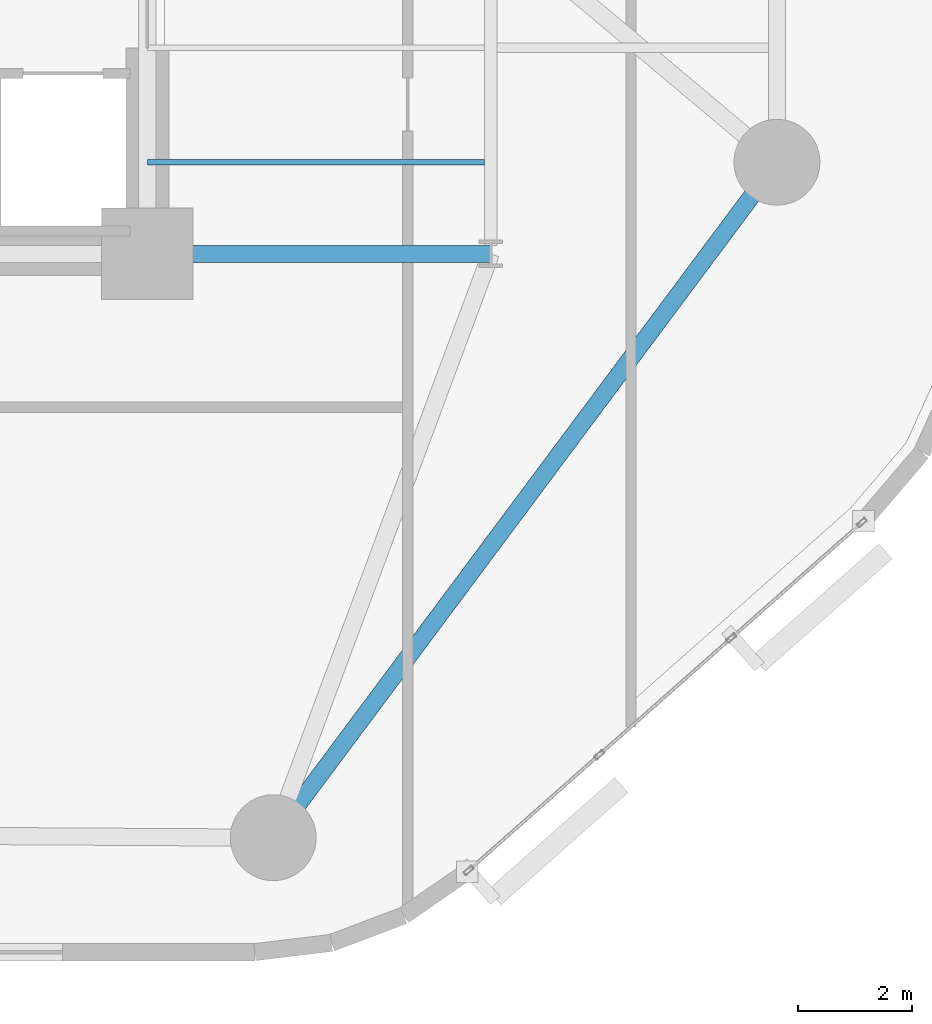
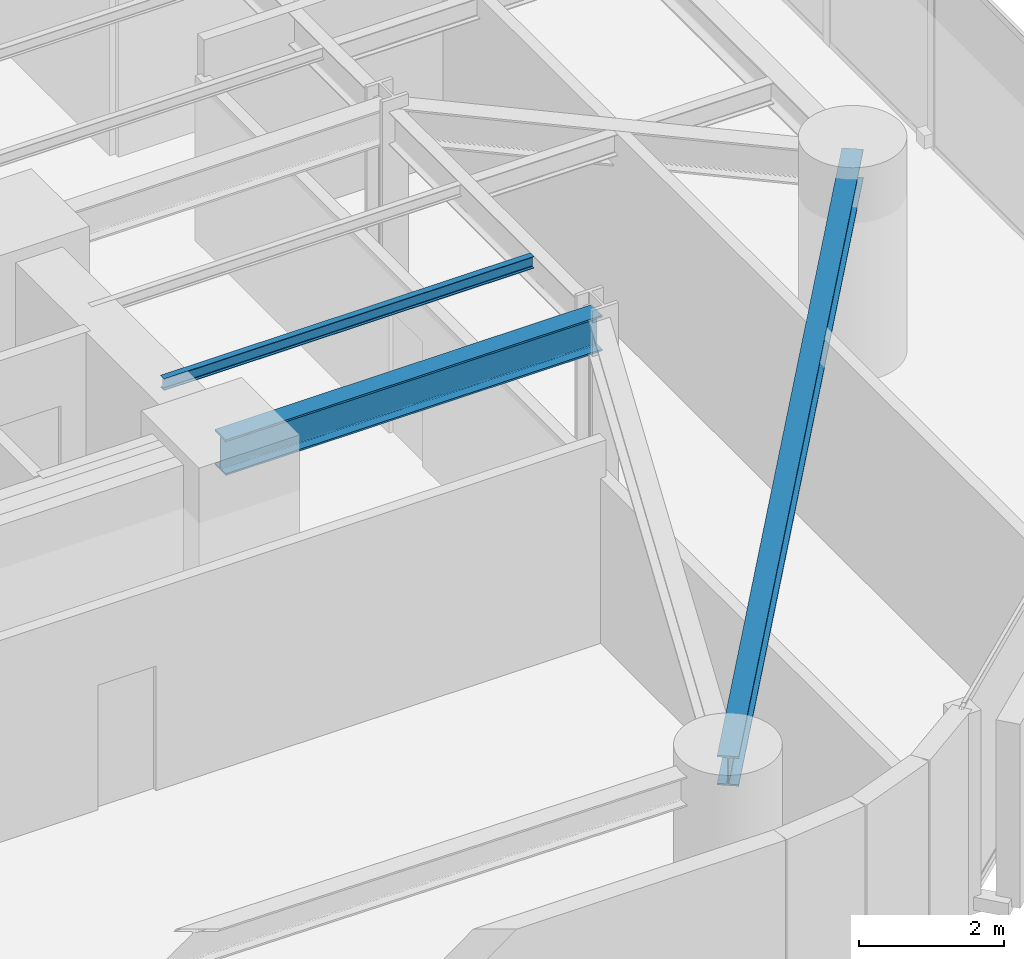
# One storey, part 3 of 15: 3 beams.
"""IFC4 building model written with IfcOpenShell, lengths in metres."""

from ifc_helpers import new_model, si_unit, direction, frame, origin, origin_2d, place, context, subcontext, project, spatial, i_section, extrude, material, material_profile, profile_set, type_object, element, save


model = new_model("IFC4")

# Units and contexts
model_context = context("Model", 3, precision=1e-05, world=origin(), true_north=direction((0.0, 1.0)))
body_context = subcontext(model_context, "Body", "Model", "MODEL_VIEW")
ifc_project = project(units=[si_unit("LENGTHUNIT", "METRE"), si_unit("AREAUNIT", "SQUARE_METRE"), si_unit("VOLUMEUNIT", "CUBIC_METRE"), si_unit("PLANEANGLEUNIT", "RADIAN"), si_unit("MASSUNIT", "GRAM", prefix="KILO")], contexts=[model_context])

# Site, building, storey
site_placement = place(None, origin())
site = spatial("IfcSite", under=ifc_project, at=site_placement, CompositionType="ELEMENT")
building_placement = place(site_placement, origin())
building = spatial("IfcBuilding", under=site, at=building_placement, Name="An Khanh Terracotta Commons", CompositionType="ELEMENT")
storey_placement = place(building_placement, frame((0.0, 0.0, 61.199951171875)))
storey = spatial("IfcBuildingStorey", under=building, at=storey_placement, Name="L16", CompositionType="ELEMENT", Elevation=61.199951171875)

# Beams
ifc_material = material(Name="Steel S355J2", Category="steel")
ifc_material_profile_1 = material_profile(ifc_material, i_section(OverallWidth=0.300048828125, OverallDepth=0.5, WebThickness=0.014404296875, FlangeThickness=0.028076171875, FilletRadius=0.027099609375, at=origin_2d()), Name="HEB500")
ifc_profile_set_1 = profile_set([ifc_material_profile_1], Name="Steel S355J2")
beam_type_1 = type_object("IfcBeamType", Name="BM-HEB500", PredefinedType="BEAM", material=ifc_profile_set_1)
beam_1_placement = place(storey_placement, frame((39.39990234375, 4.199951171875, 3.150146484375), z_axis=(0.59782442166, 0.801627070942, 0.0), x_axis=(-0.801627070942, 0.59782442166, 0.0)))
element("IfcBeam", 1, at=beam_1_placement, inside=storey, type_object=beam_type_1, Name="L16 Perimeter Ring Spandrel 2", PredefinedType="BEAM", context=body_context, shape_type="SweptSolid", body=[
    extrude(i_section(OverallWidth=0.300048828125, OverallDepth=0.5, WebThickness=0.014404296875, FlangeThickness=0.028076171875, FilletRadius=0.027099609375, at=origin_2d()), origin(), (0.0, 0.0, 1.0), 14.72021484375),
])
ifc_material_profile_2 = material_profile(ifc_material, i_section(OverallWidth=0.300048828125, OverallDepth=0.60009765625, WebThickness=0.015380859375, FlangeThickness=0.030029296875, FilletRadius=0.027099609375, at=origin_2d()), Name="HEB600")
ifc_profile_set_2 = profile_set([ifc_material_profile_2], Name="Steel S355J2")
beam_type_2 = type_object("IfcBeamType", Name="BM-HEB600", PredefinedType="BEAM", material=ifc_profile_set_2)
beam_2_placement = place(storey_placement, frame((37.199951171875, 14.39990234375, 3.10009765625), z_axis=(1.0, 0.0, 0.0), x_axis=(0.0, 1.0, 0.0)))
element("IfcBeam", 2, at=beam_2_placement, inside=storey, type_object=beam_type_2, Name="L16 East Primary Floor Girder 1", PredefinedType="BEAM", context=body_context, shape_type="SweptSolid", body=[
    extrude(i_section(OverallWidth=0.300048828125, OverallDepth=0.60009765625, WebThickness=0.015380859375, FlangeThickness=0.030029296875, FilletRadius=0.027099609375, at=origin_2d()), origin(), (0.0, 0.0, 1.0), 6.0),
])
ifc_material_profile_3 = material_profile(ifc_material, i_section(OverallWidth=0.10009765625, OverallDepth=0.199951171875, WebThickness=0.005615234375, FlangeThickness=0.008544921875, FilletRadius=0.011962890625, at=origin_2d()), Name="IPE200")
ifc_profile_set_3 = profile_set([ifc_material_profile_3], Name="Steel S355J2")
beam_type_3 = type_object("IfcBeamType", Name="BM-IPE200", PredefinedType="JOIST", material=ifc_profile_set_3)
beam_3_placement = place(storey_placement, frame((37.199951171875, 16.0, 3.300048828125), z_axis=(1.0, 0.0, 0.0), x_axis=(0.0, 1.0, 0.0)))
element("IfcBeam", 3, at=beam_3_placement, inside=storey, type_object=beam_type_3, Name="L16 Inboard Composite Joist 1", PredefinedType="JOIST", context=body_context, shape_type="SweptSolid", body=[
    extrude(i_section(OverallWidth=0.10009765625, OverallDepth=0.199951171875, WebThickness=0.005615234375, FlangeThickness=0.008544921875, FilletRadius=0.011962890625, at=origin_2d()), origin(), (0.0, 0.0, 1.0), 5.89501953125),
])

save(model, "model.ifc")
